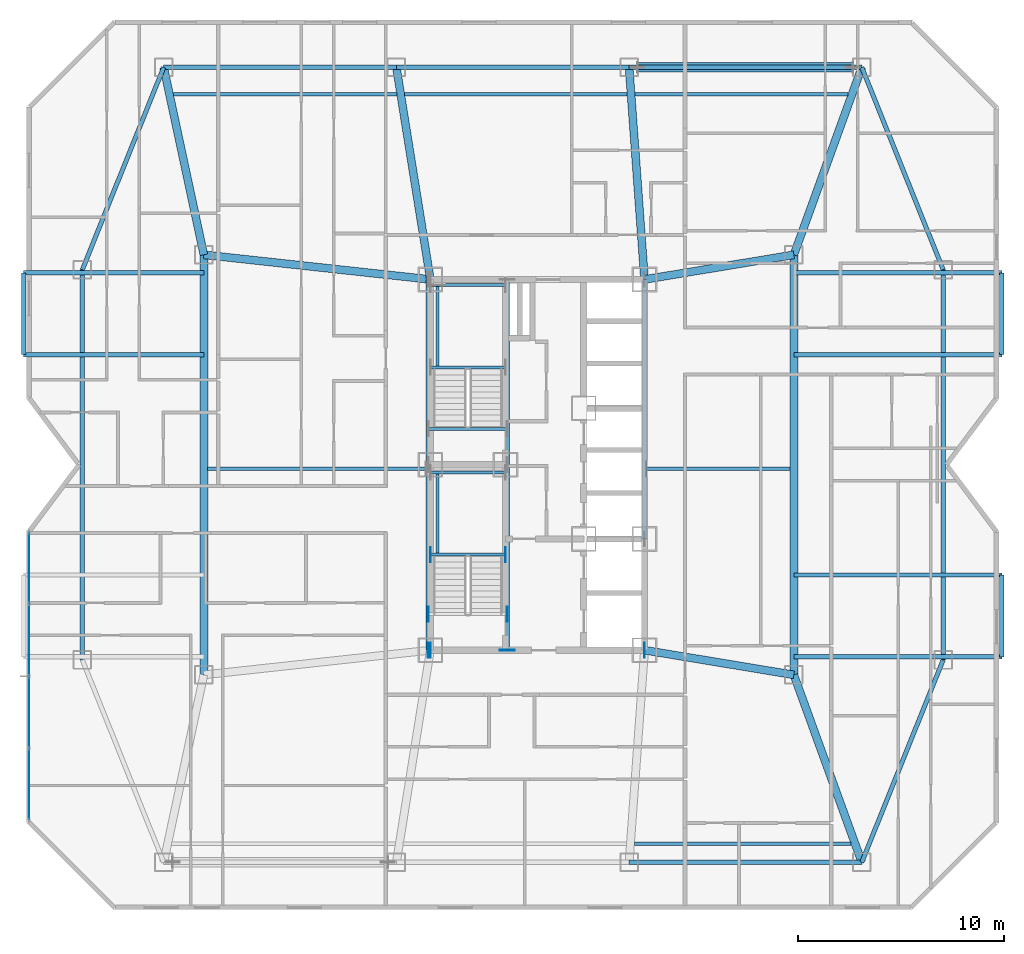
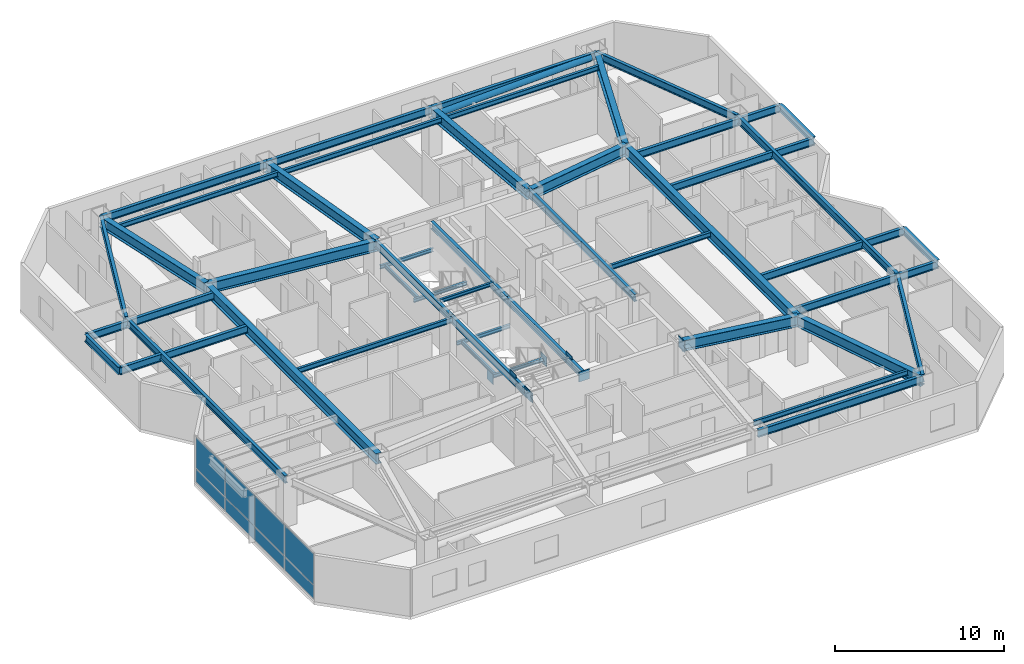
# One storey, part 7 of 17: 46 beams, 17 plates, 1 member, 1 element without a shape of its own.
"""IFC4 building model written with IfcOpenShell, lengths in metres."""

from ifc_helpers import new_model, si_unit, direction, frame, origin, origin_2d, place, context, subcontext, project, spatial, rectangle, hollow_circle, i_section, extrude, material, layer, layer_set, material_profile, profile_set, type_object, element, aggregate, save


model = new_model("IFC4")

# Units and contexts
model_context = context("Model", 3, precision=1e-05, world=origin(), true_north=direction((0.0, 1.0)))
body_context = subcontext(model_context, "Body", "Model", "MODEL_VIEW")
ifc_project = project(units=[si_unit("LENGTHUNIT", "METRE"), si_unit("AREAUNIT", "SQUARE_METRE"), si_unit("VOLUMEUNIT", "CUBIC_METRE"), si_unit("PLANEANGLEUNIT", "RADIAN"), si_unit("MASSUNIT", "GRAM", prefix="KILO")], contexts=[model_context])

# Site, building, storey
site_placement = place(None, origin())
site = spatial("IfcSite", under=ifc_project, at=site_placement, CompositionType="ELEMENT")
building_placement = place(site_placement, origin())
building = spatial("IfcBuilding", under=site, at=building_placement, Name="Khamvora Tower", CompositionType="ELEMENT")
storey_placement = place(building_placement, frame((0.0, 0.0, 142.050048828125)))
storey = spatial("IfcBuildingStorey", under=building, at=storey_placement, Name="L36", CompositionType="ELEMENT", Elevation=142.050048828125)

# Beams
ifc_material_1 = material(Name="Steel S355", Category="steel")
ifc_material_profile_1 = material_profile(ifc_material_1, i_section(OverallWidth=0.1708984375, OverallDepth=0.35498046875, WebThickness=0.007080078125, FlangeThickness=0.011962890625, FilletRadius=0.010009765625, at=origin_2d()), Name="W360x51")
ifc_profile_set_1 = profile_set([ifc_material_profile_1], Name="Steel S355")
beam_type_1 = type_object("IfcBeamType", Name="BM-JS-W360x51", PredefinedType="JOIST", material=ifc_profile_set_1)
beam_1_placement = place(storey_placement, frame((38.902099609375, 9.60009765625, 3.19189453125), z_axis=(1.0, 0.0, 0.0), x_axis=(0.0, 1.0, 0.0)))
element("IfcBeam", 1, at=beam_1_placement, inside=storey, type_object=beam_type_1, Name="L36 secondary floor joist 03", PredefinedType="JOIST", context=body_context, shape_type="SweptSolid", body=[
    extrude(i_section(OverallWidth=0.1708984375, OverallDepth=0.35498046875, WebThickness=0.007080078125, FlangeThickness=0.011962890625, FilletRadius=0.010009765625, at=origin_2d()), origin(), (0.0, 0.0, 1.0), 10.52392578125),
])
beam_2_placement = place(storey_placement, frame((18.18603515625, 27.800048828125, 3.19189453125), z_axis=(1.0, 0.0, 0.0), x_axis=(0.0, 1.0, 0.0)))
element("IfcBeam", 2, at=beam_2_placement, inside=storey, type_object=beam_type_1, Name="L36 secondary floor joist 04", PredefinedType="JOIST", context=body_context, shape_type="SweptSolid", body=[
    extrude(i_section(OverallWidth=0.1708984375, OverallDepth=0.35498046875, WebThickness=0.007080078125, FlangeThickness=0.011962890625, FilletRadius=0.010009765625, at=origin_2d()), origin(), (0.0, 0.0, 1.0), 10.614013671875),
])
beam_3_placement = place(storey_placement, frame((39.4990234375, 27.800048828125, 3.19189453125), z_axis=(1.0, 0.0, 0.0), x_axis=(0.0, 1.0, 0.0)))
element("IfcBeam", 3, at=beam_3_placement, inside=storey, type_object=beam_type_1, Name="L36 secondary floor joist 05", PredefinedType="JOIST", context=body_context, shape_type="SweptSolid", body=[
    extrude(i_section(OverallWidth=0.1708984375, OverallDepth=0.35498046875, WebThickness=0.007080078125, FlangeThickness=0.011962890625, FilletRadius=0.010009765625, at=origin_2d()), origin(), (0.0, 0.0, 1.0), 6.966064453125),
])
beam_4_placement = place(storey_placement, frame((16.51806640625, 46.0, 3.19189453125), z_axis=(1.0, 0.0, 0.0), x_axis=(0.0, 1.0, 0.0)))
element("IfcBeam", 4, at=beam_4_placement, inside=storey, type_object=beam_type_1, Name="L36 secondary floor joist 06", PredefinedType="JOIST", context=body_context, shape_type="SweptSolid", body=[
    extrude(i_section(OverallWidth=0.1708984375, OverallDepth=0.35498046875, WebThickness=0.007080078125, FlangeThickness=0.011962890625, FilletRadius=0.010009765625, at=origin_2d()), origin(), (0.0, 0.0, 1.0), 10.85205078125),
])
beam_5_placement = place(storey_placement, frame((27.74609375, 46.0, 3.19189453125), z_axis=(1.0, 0.0, 0.0), x_axis=(0.0, 1.0, 0.0)))
element("IfcBeam", 5, at=beam_5_placement, inside=storey, type_object=beam_type_1, Name="L36 secondary floor joist 07", PredefinedType="JOIST", context=body_context, shape_type="SweptSolid", body=[
    extrude(i_section(OverallWidth=0.1708984375, OverallDepth=0.35498046875, WebThickness=0.007080078125, FlangeThickness=0.011962890625, FilletRadius=0.010009765625, at=origin_2d()), origin(), (0.0, 0.0, 1.0), 10.81298828125),
])
beam_6_placement = place(storey_placement, frame((38.930908203125, 46.0, 3.19189453125), z_axis=(1.0, 0.0, 0.0), x_axis=(0.0, 1.0, 0.0)))
element("IfcBeam", 6, at=beam_6_placement, inside=storey, type_object=beam_type_1, Name="L36 secondary floor joist 08", PredefinedType="JOIST", context=body_context, shape_type="SweptSolid", body=[
    extrude(i_section(OverallWidth=0.1708984375, OverallDepth=0.35498046875, WebThickness=0.007080078125, FlangeThickness=0.011962890625, FilletRadius=0.010009765625, at=origin_2d()), origin(), (0.0, 0.0, 1.0), 10.35009765625),
])
ifc_material_profile_2 = material_profile(ifc_material_1, i_section(OverallWidth=0.14697265625, OverallDepth=0.261962890625, WebThickness=0.007080078125, FlangeThickness=0.010986328125, FilletRadius=0.008056640625, at=origin_2d()), Name="W250x39")
ifc_profile_set_2 = profile_set([ifc_material_profile_2], Name="Steel S355")
beam_type_2 = type_object("IfcBeamType", Name="BM-LN-W250x39", PredefinedType="LINTEL", material=ifc_profile_set_2)
for number, where, z_axis, x_axis, name in (
    (7, (29.0, 23.635009765625, 1.493896484375), (1.0, 0.0, 0.0), (0.0, 1.0, 0.0), "L36 ST-01 half-landing support beam 1.1"),
    (8, (29.0, 27.6298828125, 1.493896484375), (1.0, 0.0, 0.0), (0.0, 1.0, 0.0), "L36 ST-01 half-landing support beam 1.2"),
):
    element("IfcBeam", number, at=place(storey_placement, frame(where, z_axis=z_axis, x_axis=x_axis)), inside=storey, type_object=beam_type_2, Name=name, PredefinedType="LINTEL", context=body_context, shape_type="SweptSolid", body=[
        extrude(i_section(OverallWidth=0.14697265625, OverallDepth=0.261962890625, WebThickness=0.007080078125, FlangeThickness=0.010986328125, FilletRadius=0.008056640625, at=origin_2d()), origin(), (0.0, 0.0, 1.0), 3.64990234375),
    ])
beam_7_placement = place(storey_placement, frame((29.35009765625, 23.635009765625, 1.493896484375), z_axis=(0.0, 1.0, 0.0), x_axis=(-1.0, 0.0, 0.0)))
element("IfcBeam", 9, at=beam_7_placement, inside=storey, type_object=beam_type_2, Name="L36 ST-01 half-landing edge stringer 1", PredefinedType="LINTEL", context=body_context, shape_type="SweptSolid", body=[
    extrude(i_section(OverallWidth=0.14697265625, OverallDepth=0.261962890625, WebThickness=0.007080078125, FlangeThickness=0.010986328125, FilletRadius=0.008056640625, at=origin_2d()), origin(), (0.0, 0.0, 1.0), 3.994873046875),
])
for number, where, z_axis, x_axis, name in (
    (10, (29.0, 32.735107421875, 1.493896484375), (1.0, 0.0, 0.0), (0.0, 1.0, 0.0), "L36 ST-02 half-landing support beam 1.1"),
    (11, (29.0, 36.72998046875, 1.493896484375), (1.0, 0.0, 0.0), (0.0, 1.0, 0.0), "L36 ST-02 half-landing support beam 1.2"),
):
    element("IfcBeam", number, at=place(storey_placement, frame(where, z_axis=z_axis, x_axis=x_axis)), inside=storey, type_object=beam_type_2, Name=name, PredefinedType="LINTEL", context=body_context, shape_type="SweptSolid", body=[
        extrude(i_section(OverallWidth=0.14697265625, OverallDepth=0.261962890625, WebThickness=0.007080078125, FlangeThickness=0.010986328125, FilletRadius=0.008056640625, at=origin_2d()), origin(), (0.0, 0.0, 1.0), 3.64990234375),
    ])
beam_8_placement = place(storey_placement, frame((29.35009765625, 32.735107421875, 1.493896484375), z_axis=(0.0, 1.0, 0.0), x_axis=(-1.0, 0.0, 0.0)))
element("IfcBeam", 12, at=beam_8_placement, inside=storey, type_object=beam_type_2, Name="L36 ST-02 half-landing edge stringer 1", PredefinedType="LINTEL", context=body_context, shape_type="SweptSolid", body=[
    extrude(i_section(OverallWidth=0.14697265625, OverallDepth=0.261962890625, WebThickness=0.007080078125, FlangeThickness=0.010986328125, FilletRadius=0.008056640625, at=origin_2d()), origin(), (0.0, 0.0, 1.0), 3.994873046875),
])
beam_9_placement = place(storey_placement, frame((28.89990234375, 29.75, 3.243896484375), z_axis=(1.0, 0.0, 0.0), x_axis=(0.0, 1.0, 0.0)))
element("IfcBeam", 13, at=beam_9_placement, inside=storey, type_object=beam_type_2, Name="L36 exit stair ST-02 landing trimmer beam", PredefinedType="LINTEL", context=body_context, shape_type="SweptSolid", body=[
    extrude(i_section(OverallWidth=0.14697265625, OverallDepth=0.261962890625, WebThickness=0.007080078125, FlangeThickness=0.010986328125, FilletRadius=0.008056640625, at=origin_2d()), origin(), (0.0, 0.0, 1.0), 3.830078125),
])
ifc_material_profile_3 = material_profile(ifc_material_1, i_section(OverallWidth=0.381103515625, OverallDepth=0.77294921875, WebThickness=0.01708984375, FlangeThickness=0.027099609375, FilletRadius=0.01806640625, at=origin_2d()), Name="W760x257")
ifc_profile_set_3 = profile_set([ifc_material_profile_3], Name="Steel S355")
beam_type_3 = type_object("IfcBeamType", Name="BM-PG-W760x257", PredefinedType="BEAM", material=ifc_profile_set_3)
for number, where, z_axis, x_axis, name in (
    (14, (46.64990234375, 17.800048828125, 2.98291015625), (0.0, 1.0, 0.0), (-1.0, 0.0, 0.0), "L36 longitudinal frame girder M1-M2"),
    (15, (18.0, 17.800048828125, 2.98291015625), (0.0, 1.0, 0.0), (-1.0, 0.0, 0.0), "L36 longitudinal frame girder MW1-MW2"),
):
    element("IfcBeam", number, at=place(storey_placement, frame(where, z_axis=z_axis, x_axis=x_axis)), inside=storey, type_object=beam_type_3, Name=name, PredefinedType="BEAM", context=body_context, shape_type="SweptSolid", body=[
        extrude(i_section(OverallWidth=0.381103515625, OverallDepth=0.77294921875, WebThickness=0.01708984375, FlangeThickness=0.027099609375, FilletRadius=0.01806640625, at=origin_2d()), origin(), (0.0, 0.0, 1.0), 20.39990234375),
    ])
beam_10_placement = place(storey_placement, frame((46.64990234375, 17.800048828125, 2.98291015625), z_axis=(0.340914681567, -0.940094239899, 0.0), x_axis=(0.940094239899, 0.340914681567, 0.0)))
element("IfcBeam", 16, at=beam_10_placement, inside=storey, type_object=beam_type_3, Name="L36 primary floor girder S4", PredefinedType="BEAM", context=body_context, shape_type="SweptSolid", body=[
    extrude(i_section(OverallWidth=0.381103515625, OverallDepth=0.77294921875, WebThickness=0.01708984375, FlangeThickness=0.027099609375, FilletRadius=0.01806640625, at=origin_2d()), origin(), (0.0, 0.0, 1.0), 9.679931640625),
])
beam_11_placement = place(storey_placement, frame((18.0, 38.199951171875, 2.98291015625), z_axis=(-0.209521922673, 0.977803949634, 0.0), x_axis=(-0.977803949634, -0.209521922673, 0.0)))
element("IfcBeam", 17, at=beam_11_placement, inside=storey, type_object=beam_type_3, Name="L36 primary floor girder N1", PredefinedType="BEAM", context=body_context, shape_type="SweptSolid", body=[
    extrude(i_section(OverallWidth=0.381103515625, OverallDepth=0.77294921875, WebThickness=0.01708984375, FlangeThickness=0.027099609375, FilletRadius=0.01806640625, at=origin_2d()), origin(), (0.0, 0.0, 1.0), 9.306640625),
])
beam_12_placement = place(storey_placement, frame((29.0, 37.0, 2.98291015625), z_axis=(-0.158167584066, 0.987412282358, 0.0), x_axis=(-0.987412282358, -0.158167584066, 0.0)))
element("IfcBeam", 18, at=beam_12_placement, inside=storey, type_object=beam_type_3, Name="L36 primary floor girder N2", PredefinedType="BEAM", context=body_context, shape_type="SweptSolid", body=[
    extrude(i_section(OverallWidth=0.381103515625, OverallDepth=0.77294921875, WebThickness=0.01708984375, FlangeThickness=0.027099609375, FilletRadius=0.01806640625, at=origin_2d()), origin(), (0.0, 0.0, 1.0), 10.431396484375),
])
beam_13_placement = place(storey_placement, frame((39.39990234375, 37.0, 2.98291015625), z_axis=(-0.07262291808, 0.997359469685, 0.0), x_axis=(-0.997359469685, -0.07262291808, 0.0)))
element("IfcBeam", 19, at=beam_13_placement, inside=storey, type_object=beam_type_3, Name="L36 primary floor girder N3", PredefinedType="BEAM", context=body_context, shape_type="SweptSolid", body=[
    extrude(i_section(OverallWidth=0.381103515625, OverallDepth=0.77294921875, WebThickness=0.01708984375, FlangeThickness=0.027099609375, FilletRadius=0.01806640625, at=origin_2d()), origin(), (0.0, 0.0, 1.0), 10.327392578125),
])
beam_14_placement = place(storey_placement, frame((46.64990234375, 38.199951171875, 2.98291015625), z_axis=(0.340914681567, 0.940094239899, 0.0), x_axis=(-0.940094239899, 0.340914681567, 0.0)))
element("IfcBeam", 20, at=beam_14_placement, inside=storey, type_object=beam_type_3, Name="L36 primary floor girder N4", PredefinedType="BEAM", context=body_context, shape_type="SweptSolid", body=[
    extrude(i_section(OverallWidth=0.381103515625, OverallDepth=0.77294921875, WebThickness=0.01708984375, FlangeThickness=0.027099609375, FilletRadius=0.01806640625, at=origin_2d()), origin(), (0.0, 0.0, 1.0), 9.679931640625),
])
beam_15_placement = place(storey_placement, frame((29.0, 37.0, 2.98291015625), z_axis=(-0.994102652327, 0.108443149329, 0.0), x_axis=(-0.108443149329, -0.994102652327, 0.0)))
element("IfcBeam", 21, at=beam_15_placement, inside=storey, type_object=beam_type_3, Name="L36 primary floor girder MW2", PredefinedType="BEAM", context=body_context, shape_type="SweptSolid", body=[
    extrude(i_section(OverallWidth=0.381103515625, OverallDepth=0.77294921875, WebThickness=0.01708984375, FlangeThickness=0.027099609375, FilletRadius=0.01806640625, at=origin_2d()), origin(), (0.0, 0.0, 1.0), 11.065185546875),
])
for number, where, z_axis, x_axis, name in (
    (22, (39.39990234375, 19.0, 2.98291015625), (0.986578268552, -0.163289068896, 0.0), (0.163289068896, 0.986578268552, 0.0), "L36 primary floor girder M1"),
    (23, (39.39990234375, 37.0, 2.98291015625), (0.986578268552, 0.163289068896, 0.0), (-0.163289068896, 0.986578268552, 0.0), "L36 primary floor girder M2"),
):
    element("IfcBeam", number, at=place(storey_placement, frame(where, z_axis=z_axis, x_axis=x_axis)), inside=storey, type_object=beam_type_3, Name=name, PredefinedType="BEAM", context=body_context, shape_type="SweptSolid", body=[
        extrude(i_section(OverallWidth=0.381103515625, OverallDepth=0.77294921875, WebThickness=0.01708984375, FlangeThickness=0.027099609375, FilletRadius=0.01806640625, at=origin_2d()), origin(), (0.0, 0.0, 1.0), 7.3486328125),
    ])
ifc_material_profile_4 = material_profile(ifc_material_1, i_section(OverallWidth=0.2119140625, OverallDepth=0.5439453125, WebThickness=0.012939453125, FlangeThickness=0.02099609375, FilletRadius=0.013916015625, at=origin_2d()), Name="W530x123")
ifc_profile_set_4 = profile_set([ifc_material_profile_4], Name="Steel S355")
beam_type_4 = type_object("IfcBeamType", Name="BM-SP-W530x123", PredefinedType="SPANDREL", material=ifc_profile_set_4)
beam_16_placement = place(storey_placement, frame((38.64990234375, 8.699951171875, 3.097900390625), z_axis=(1.0, 0.0, 0.0), x_axis=(0.0, 1.0, 0.0)))
element("IfcBeam", 24, at=beam_16_placement, inside=storey, type_object=beam_type_4, Name="L36 perimeter spandrel beam S3-S4", PredefinedType="SPANDREL", context=body_context, shape_type="SweptSolid", body=[
    extrude(i_section(OverallWidth=0.2119140625, OverallDepth=0.5439453125, WebThickness=0.012939453125, FlangeThickness=0.02099609375, FilletRadius=0.013916015625, at=origin_2d()), origin(), (0.0, 0.0, 1.0), 11.300048828125),
])
beam_17_placement = place(storey_placement, frame((49.949951171875, 8.699951171875, 3.097900390625), z_axis=(0.373015921536, 0.927824941614, 0.0), x_axis=(-0.927824941614, 0.373015921536, 0.0)))
element("IfcBeam", 25, at=beam_17_placement, inside=storey, type_object=beam_type_4, Name="L36 perimeter spandrel beam S4-E1", PredefinedType="SPANDREL", context=body_context, shape_type="SweptSolid", body=[
    extrude(i_section(OverallWidth=0.2119140625, OverallDepth=0.5439453125, WebThickness=0.012939453125, FlangeThickness=0.02099609375, FilletRadius=0.013916015625, at=origin_2d()), origin(), (0.0, 0.0, 1.0), 10.589111328125),
])
beam_18_placement = place(storey_placement, frame((53.89990234375, 18.52490234375, 3.097900390625), z_axis=(0.0, 1.0, 0.0), x_axis=(-1.0, 0.0, 0.0)))
element("IfcBeam", 26, at=beam_18_placement, inside=storey, type_object=beam_type_4, Name="L36 perimeter spandrel beam E1-E2", PredefinedType="SPANDREL", context=body_context, shape_type="SweptSolid", body=[
    extrude(i_section(OverallWidth=0.2119140625, OverallDepth=0.5439453125, WebThickness=0.012939453125, FlangeThickness=0.02099609375, FilletRadius=0.013916015625, at=origin_2d()), origin(), (0.0, 0.0, 1.0), 18.9501953125),
])
beam_19_placement = place(storey_placement, frame((53.89990234375, 37.47509765625, 3.097900390625), z_axis=(-0.373015921536, 0.927824941614, 0.0), x_axis=(-0.927824941614, -0.373015921536, 0.0)))
element("IfcBeam", 27, at=beam_19_placement, inside=storey, type_object=beam_type_4, Name="L36 perimeter spandrel beam E2-N4", PredefinedType="SPANDREL", context=body_context, shape_type="SweptSolid", body=[
    extrude(i_section(OverallWidth=0.2119140625, OverallDepth=0.5439453125, WebThickness=0.012939453125, FlangeThickness=0.02099609375, FilletRadius=0.013916015625, at=origin_2d()), origin(), (0.0, 0.0, 1.0), 10.589111328125),
])
beam_20_placement = place(storey_placement, frame((49.949951171875, 47.300048828125, 3.097900390625), z_axis=(-1.0, 0.0, 0.0), x_axis=(0.0, -1.0, 0.0)))
element("IfcBeam", 28, at=beam_20_placement, inside=storey, type_object=beam_type_4, Name="L36 perimeter spandrel beam N4-N3", PredefinedType="SPANDREL", context=body_context, shape_type="SweptSolid", body=[
    extrude(i_section(OverallWidth=0.2119140625, OverallDepth=0.5439453125, WebThickness=0.012939453125, FlangeThickness=0.02099609375, FilletRadius=0.013916015625, at=origin_2d()), origin(), (0.0, 0.0, 1.0), 11.300048828125),
])
beam_21_placement = place(storey_placement, frame((38.64990234375, 47.300048828125, 3.097900390625), z_axis=(-1.0, 0.0, 0.0), x_axis=(0.0, -1.0, 0.0)))
element("IfcBeam", 29, at=beam_21_placement, inside=storey, type_object=beam_type_4, Name="L36 perimeter spandrel beam N3-N2", PredefinedType="SPANDREL", context=body_context, shape_type="SweptSolid", body=[
    extrude(i_section(OverallWidth=0.2119140625, OverallDepth=0.5439453125, WebThickness=0.012939453125, FlangeThickness=0.02099609375, FilletRadius=0.013916015625, at=origin_2d()), origin(), (0.0, 0.0, 1.0), 11.2998046875),
])
beam_22_placement = place(storey_placement, frame((27.35009765625, 47.300048828125, 3.097900390625), z_axis=(-1.0, 0.0, 0.0), x_axis=(0.0, -1.0, 0.0)))
element("IfcBeam", 30, at=beam_22_placement, inside=storey, type_object=beam_type_4, Name="L36 perimeter spandrel beam N2-N1", PredefinedType="SPANDREL", context=body_context, shape_type="SweptSolid", body=[
    extrude(i_section(OverallWidth=0.2119140625, OverallDepth=0.5439453125, WebThickness=0.012939453125, FlangeThickness=0.02099609375, FilletRadius=0.013916015625, at=origin_2d()), origin(), (0.0, 0.0, 1.0), 11.300048828125),
])
beam_23_placement = place(storey_placement, frame((16.050048828125, 47.300048828125, 3.097900390625), z_axis=(-0.373015921536, -0.927824941614, 0.0), x_axis=(0.927824941614, -0.373015921536, 0.0)))
element("IfcBeam", 31, at=beam_23_placement, inside=storey, type_object=beam_type_4, Name="L36 perimeter spandrel beam N1-W2", PredefinedType="SPANDREL", context=body_context, shape_type="SweptSolid", body=[
    extrude(i_section(OverallWidth=0.2119140625, OverallDepth=0.5439453125, WebThickness=0.012939453125, FlangeThickness=0.02099609375, FilletRadius=0.013916015625, at=origin_2d()), origin(), (0.0, 0.0, 1.0), 10.589111328125),
])
beam_24_placement = place(storey_placement, frame((12.10009765625, 37.47509765625, 3.097900390625), z_axis=(0.0, -1.0, 0.0), x_axis=(1.0, 0.0, 0.0)))
element("IfcBeam", 32, at=beam_24_placement, inside=storey, type_object=beam_type_4, Name="L36 perimeter spandrel beam W2-W1", PredefinedType="SPANDREL", context=body_context, shape_type="SweptSolid", body=[
    extrude(i_section(OverallWidth=0.2119140625, OverallDepth=0.5439453125, WebThickness=0.012939453125, FlangeThickness=0.02099609375, FilletRadius=0.013916015625, at=origin_2d()), origin(), (0.0, 0.0, 1.0), 18.9501953125),
])
ifc_material_profile_5 = material_profile(ifc_material_1, i_section(OverallWidth=0.208984375, OverallDepth=0.532958984375, WebThickness=0.010009765625, FlangeThickness=0.01611328125, FilletRadius=0.013916015625, at=origin_2d()), Name="W530x92")
ifc_profile_set_5 = profile_set([ifc_material_profile_5], Name="Steel S355")
beam_type_5 = type_object("IfcBeamType", Name="BM-SP-W530x92", PredefinedType="SPANDREL", material=ifc_profile_set_5)
for number, where, z_axis, x_axis, name in (
    (33, (28.89990234375, 19.0, 3.10302734375), (0.0, 1.0, 0.0), (-1.0, 0.0, 0.0), "L36 core spine girder WS"),
    (34, (28.89990234375, 28.0, 3.10302734375), (0.0, 1.0, 0.0), (-1.0, 0.0, 0.0), "L36 core spine girder WN"),
    (35, (32.72998046875, 19.0, 3.10302734375), (0.0, 1.0, 0.0), (-1.0, 0.0, 0.0), "L36 core spine girder M1S"),
    (36, (32.72998046875, 28.0, 3.10302734375), (0.0, 1.0, 0.0), (-1.0, 0.0, 0.0), "L36 core spine girder M1N"),
):
    element("IfcBeam", number, at=place(storey_placement, frame(where, z_axis=z_axis, x_axis=x_axis)), inside=storey, type_object=beam_type_5, Name=name, PredefinedType="SPANDREL", context=body_context, shape_type="SweptSolid", body=[
        extrude(i_section(OverallWidth=0.208984375, OverallDepth=0.532958984375, WebThickness=0.010009765625, FlangeThickness=0.01611328125, FilletRadius=0.013916015625, at=origin_2d()), origin(), (0.0, 0.0, 1.0), 9.0),
    ])
beam_25_placement = place(storey_placement, frame((39.39990234375, 24.39990234375, 3.10302734375), z_axis=(0.0, 1.0, 0.0), x_axis=(-1.0, 0.0, 0.0)))
element("IfcBeam", 37, at=beam_25_placement, inside=storey, type_object=beam_type_5, Name="L36 core spine girder EN", PredefinedType="SPANDREL", context=body_context, shape_type="SweptSolid", body=[
    extrude(i_section(OverallWidth=0.208984375, OverallDepth=0.532958984375, WebThickness=0.010009765625, FlangeThickness=0.01611328125, FilletRadius=0.013916015625, at=origin_2d()), origin(), (0.0, 0.0, 1.0), 12.60009765625),
])
for number, where, z_axis, x_axis, name in (
    (38, (46.64990234375, 18.675048828125, 2.962890625), (1.0, 0.0, 0.0), (0.0, 1.0, 0.0), "L36 continuous gallery cantilever girder L37-EL1-1"),
    (39, (46.64990234375, 22.64990234375, 2.962890625), (1.0, 0.0, 0.0), (0.0, 1.0, 0.0), "L36 continuous gallery cantilever girder L37-EL1-2"),
):
    element("IfcBeam", number, at=place(storey_placement, frame(where, z_axis=z_axis, x_axis=x_axis)), inside=storey, type_object=beam_type_5, Name=name, PredefinedType="SPANDREL", context=body_context, shape_type="SweptSolid", body=[
        extrude(i_section(OverallWidth=0.208984375, OverallDepth=0.532958984375, WebThickness=0.010009765625, FlangeThickness=0.01611328125, FilletRadius=0.013916015625, at=origin_2d()), origin(), (0.0, 0.0, 1.0), 10.10009765625),
    ])
beam_26_placement = place(storey_placement, frame((56.75, 18.675048828125, 2.962890625), z_axis=(0.0, 1.0, 0.0), x_axis=(-1.0, 0.0, 0.0)))
element("IfcBeam", 40, at=beam_26_placement, inside=storey, type_object=beam_type_5, Name="L36 external gallery edge header beam L37-EL1", PredefinedType="SPANDREL", context=body_context, shape_type="SweptSolid", body=[
    extrude(i_section(OverallWidth=0.208984375, OverallDepth=0.532958984375, WebThickness=0.010009765625, FlangeThickness=0.01611328125, FilletRadius=0.013916015625, at=origin_2d()), origin(), (0.0, 0.0, 1.0), 3.974853515625),
])
for number, where, z_axis, x_axis, name in (
    (41, (46.64990234375, 33.35009765625, 2.962890625), (1.0, 0.0, 0.0), (0.0, 1.0, 0.0), "L36 continuous gallery cantilever girder L37-EL2-1"),
    (42, (46.64990234375, 37.324951171875, 2.962890625), (1.0, 0.0, 0.0), (0.0, 1.0, 0.0), "L36 continuous gallery cantilever girder L37-EL2-2"),
):
    element("IfcBeam", number, at=place(storey_placement, frame(where, z_axis=z_axis, x_axis=x_axis)), inside=storey, type_object=beam_type_5, Name=name, PredefinedType="SPANDREL", context=body_context, shape_type="SweptSolid", body=[
        extrude(i_section(OverallWidth=0.208984375, OverallDepth=0.532958984375, WebThickness=0.010009765625, FlangeThickness=0.01611328125, FilletRadius=0.013916015625, at=origin_2d()), origin(), (0.0, 0.0, 1.0), 10.10009765625),
    ])
beam_27_placement = place(storey_placement, frame((56.75, 33.35009765625, 2.962890625), z_axis=(0.0, 1.0, 0.0), x_axis=(-1.0, 0.0, 0.0)))
element("IfcBeam", 43, at=beam_27_placement, inside=storey, type_object=beam_type_5, Name="L36 external gallery edge header beam L37-EL2", PredefinedType="SPANDREL", context=body_context, shape_type="SweptSolid", body=[
    extrude(i_section(OverallWidth=0.208984375, OverallDepth=0.532958984375, WebThickness=0.010009765625, FlangeThickness=0.01611328125, FilletRadius=0.013916015625, at=origin_2d()), origin(), (0.0, 0.0, 1.0), 3.974853515625),
])
for number, where, z_axis, x_axis, name in (
    (44, (18.0, 33.35009765625, 2.962890625), (-1.0, 0.0, 0.0), (0.0, -1.0, 0.0), "L36 continuous gallery cantilever girder L37-WL2-1"),
    (45, (18.0, 37.324951171875, 2.962890625), (-1.0, 0.0, 0.0), (0.0, -1.0, 0.0), "L36 continuous gallery cantilever girder L37-WL2-2"),
):
    element("IfcBeam", number, at=place(storey_placement, frame(where, z_axis=z_axis, x_axis=x_axis)), inside=storey, type_object=beam_type_5, Name=name, PredefinedType="SPANDREL", context=body_context, shape_type="SweptSolid", body=[
        extrude(i_section(OverallWidth=0.208984375, OverallDepth=0.532958984375, WebThickness=0.010009765625, FlangeThickness=0.01611328125, FilletRadius=0.013916015625, at=origin_2d()), origin(), (0.0, 0.0, 1.0), 8.75),
    ])
beam_28_placement = place(storey_placement, frame((9.25, 33.35009765625, 2.962890625), z_axis=(0.0, 1.0, 0.0), x_axis=(-1.0, 0.0, 0.0)))
element("IfcBeam", 46, at=beam_28_placement, inside=storey, type_object=beam_type_5, Name="L36 external gallery edge header beam L37-WL2", PredefinedType="SPANDREL", context=body_context, shape_type="SweptSolid", body=[
    extrude(i_section(OverallWidth=0.208984375, OverallDepth=0.532958984375, WebThickness=0.010009765625, FlangeThickness=0.01611328125, FilletRadius=0.013916015625, at=origin_2d()), origin(), (0.0, 0.0, 1.0), 3.974853515625),
])

# Member
ifc_material_profile_6 = material_profile(ifc_material_1, hollow_circle(Radius=0.228515625, WallThickness=0.02001953125, at=origin_2d()), Name="CHS457x20")
ifc_profile_set_6 = profile_set([ifc_material_profile_6], Name="Steel S355")
member_type = type_object("IfcMemberType", Name="MEM-BR-CHS457", PredefinedType="BRACE", material=ifc_profile_set_6)
member_placement = place(storey_placement, frame((39.080078125, 47.300048828125, 2.696044921875), z_axis=(0.999306839508, 0.0, 0.037226878896), x_axis=(0.0, 1.0, 0.0)))
element("IfcMember", 47, at=member_placement, inside=storey, type_object=member_type, Name="L36 perimeter wind brace 2", PredefinedType="BRACE", context=body_context, shape_type="SweptSolid", body=[
    extrude(hollow_circle(Radius=0.228515625, WallThickness=0.02001953125, at=origin_2d()), origin(), (0.0, 0.0, 1.0), 10.447265625),
])

# Curtain wall, plates
ifc_material_2 = material(Name="Anodised Aluminium 6063-T6", Category="aluminium")
curtain_wall_type = type_object("IfcCurtainWallType", Name="CW-SYS-03", PredefinedType="NOTDEFINED", material=ifc_material_2)
curtain_wall_placement = place(storey_placement, origin())
curtain_wall = element("IfcCurtainWall", 48, at=curtain_wall_placement, inside=storey, type_object=curtain_wall_type, Name="L36 stick curtain wall 02.1", PredefinedType="NOTDEFINED")
ifc_material_3 = material(Name="Low-E Laminated Double Glazing", Category="glass")
ifc_layer_1 = layer(ifc_material_3, 0.030029296875)
ifc_layer_set_1 = layer_set([ifc_layer_1], Name="Low-E Laminated Double Glazing")
plate_type_1 = type_object("IfcPlateType", Name="CW-SYS-03-PNL", PredefinedType="CURTAIN_PANEL", material=ifc_layer_set_1)
plate_1_placement = place(storey_placement, frame((9.510009765625, 12.489013671875, 0.06494140625), z_axis=(0.0, 0.0, 1.0), x_axis=(0.0, 1.0, 0.0)))
plate_1 = element("IfcPlate", 49, at=plate_1_placement, type_object=plate_type_1, Name="CW-03 panel 1.1", PredefinedType="CURTAIN_PANEL", context=body_context, shape_type="SweptSolid", body=[
    extrude(rectangle(XDim=3.4140625, YDim=0.030029296875, at=origin_2d()), origin(), (0.0, 0.0, 1.0), 0.952392578125),
])
plate_2_placement = place(storey_placement, frame((9.510009765625, 12.489013671875, 1.08251953125), z_axis=(0.0, 0.0, 1.0), x_axis=(0.0, 1.0, 0.0)))
plate_2 = element("IfcPlate", 50, at=plate_2_placement, type_object=plate_type_1, Name="CW-03 panel 1.2", PredefinedType="CURTAIN_PANEL", context=body_context, shape_type="SweptSolid", body=[
    extrude(rectangle(XDim=3.4140625, YDim=0.030029296875, at=origin_2d()), origin(), (0.0, 0.0, 1.0), 2.222412109375),
])
plate_3_placement = place(storey_placement, frame((9.510009765625, 15.984130859375, 0.06494140625), z_axis=(0.0, 0.0, 1.0), x_axis=(0.0, 1.0, 0.0)))
plate_3 = element("IfcPlate", 51, at=plate_3_placement, type_object=plate_type_1, Name="CW-03 panel 2.1", PredefinedType="CURTAIN_PANEL", context=body_context, shape_type="SweptSolid", body=[
    extrude(rectangle(XDim=3.446533203125, YDim=0.030029296875, at=origin_2d()), origin(), (0.0, 0.0, 1.0), 0.952392578125),
])
plate_4_placement = place(storey_placement, frame((9.510009765625, 15.984130859375, 1.08251953125), z_axis=(0.0, 0.0, 1.0), x_axis=(0.0, 1.0, 0.0)))
plate_4 = element("IfcPlate", 52, at=plate_4_placement, type_object=plate_type_1, Name="CW-03 panel 2.2", PredefinedType="CURTAIN_PANEL", context=body_context, shape_type="SweptSolid", body=[
    extrude(rectangle(XDim=3.446533203125, YDim=0.030029296875, at=origin_2d()), origin(), (0.0, 0.0, 1.0), 2.222412109375),
])
plate_5_placement = place(storey_placement, frame((9.510009765625, 19.495849609375, 0.06494140625), z_axis=(0.0, 0.0, 1.0), x_axis=(0.0, 1.0, 0.0)))
plate_5 = element("IfcPlate", 53, at=plate_5_placement, type_object=plate_type_1, Name="CW-03 panel 3.1", PredefinedType="CURTAIN_PANEL", context=body_context, shape_type="SweptSolid", body=[
    extrude(rectangle(XDim=3.446533203125, YDim=0.030029296875, at=origin_2d()), origin(), (0.0, 0.0, 1.0), 0.952392578125),
])
plate_6_placement = place(storey_placement, frame((9.510009765625, 19.495849609375, 1.08251953125), z_axis=(0.0, 0.0, 1.0), x_axis=(0.0, 1.0, 0.0)))
plate_6 = element("IfcPlate", 54, at=plate_6_placement, type_object=plate_type_1, Name="CW-03 panel 3.2", PredefinedType="CURTAIN_PANEL", context=body_context, shape_type="SweptSolid", body=[
    extrude(rectangle(XDim=3.446533203125, YDim=0.030029296875, at=origin_2d()), origin(), (0.0, 0.0, 1.0), 2.222412109375),
])
plate_7_placement = place(storey_placement, frame((9.510009765625, 22.990966796875, 0.06494140625), z_axis=(0.0, 0.0, 1.0), x_axis=(0.0, 1.0, 0.0)))
plate_7 = element("IfcPlate", 55, at=plate_7_placement, type_object=plate_type_1, Name="CW-03 panel 4.1", PredefinedType="CURTAIN_PANEL", context=body_context, shape_type="SweptSolid", body=[
    extrude(rectangle(XDim=3.4140625, YDim=0.030029296875, at=origin_2d()), origin(), (0.0, 0.0, 1.0), 0.952392578125),
])
plate_8_placement = place(storey_placement, frame((9.510009765625, 22.990966796875, 1.08251953125), z_axis=(0.0, 0.0, 1.0), x_axis=(0.0, 1.0, 0.0)))
plate_8 = element("IfcPlate", 56, at=plate_8_placement, type_object=plate_type_1, Name="CW-03 panel 4.2", PredefinedType="CURTAIN_PANEL", context=body_context, shape_type="SweptSolid", body=[
    extrude(rectangle(XDim=3.4140625, YDim=0.030029296875, at=origin_2d()), origin(), (0.0, 0.0, 1.0), 2.222412109375),
])
aggregate(curtain_wall, [plate_1, plate_2, plate_3, plate_4, plate_5, plate_6, plate_7, plate_8])

# Plates
ifc_material_4 = material(Name="Steel S460", Category="steel")
ifc_layer_2 = layer(ifc_material_4, 0.034912109375)
ifc_layer_set_2 = layer_set([ifc_layer_2], Name="Steel S460")
plate_type_2 = type_object("IfcPlateType", Name="PL-EMB-35", PredefinedType="SHEET", material=ifc_layer_set_2)
for number, where, z_axis, x_axis, name in (
    (57, (29.0, 23.635009765625, 1.1337890625), (0.0, 0.0, 1.0), (1.0, 0.0, 0.0), "L36 core shear wall cast-in embed plate 1048"),
    (58, (32.64990234375, 23.635009765625, 1.1337890625), (0.0, 0.0, 1.0), (1.0, 0.0, 0.0), "L36 core shear wall cast-in embed plate 1049"),
    (59, (29.0, 19.0, 2.623046875), (0.0, 0.0, 1.0), (1.0, 0.0, 0.0), "L36 core shear wall cast-in embed plate 1057"),
    (60, (39.39990234375, 19.0, 2.623046875), (0.0, 0.0, 1.0), (1.0, 0.0, 0.0), "L36 core shear wall cast-in embed plate 1058"),
    (61, (28.89990234375, 19.0, 2.7431640625), (0.0, 0.0, 1.0), (1.0, 0.0, 0.0), "L36 core shear wall cast-in embed plate 1061"),
):
    element("IfcPlate", number, at=place(storey_placement, frame(where, z_axis=z_axis, x_axis=x_axis)), inside=storey, type_object=plate_type_2, Name=name, PredefinedType="SHEET", context=body_context, shape_type="SweptSolid", body=[
        extrude(rectangle(XDim=0.034912109375, YDim=0.719970703125, at=origin_2d()), origin(), (0.0, 0.0, 1.0), 0.719970703125),
    ])
plate_9_placement = place(storey_placement, frame((32.72998046875, 19.0, 2.7431640625), z_axis=(0.0, 0.0, 1.0), x_axis=(1.0, 0.0, 0.0)))
element("IfcPlate", 62, at=plate_9_placement, inside=storey, type_object=plate_type_2, Name="L36 core shear wall cast-in embed plate 1064", PredefinedType="SHEET", context=body_context, shape_type="SweptSolid", body=[
    extrude(rectangle(XDim=0.719970703125, YDim=0.034912109375, at=origin_2d()), origin(), (0.0, 0.0, 1.0), 0.719970703125),
])
for number, where, z_axis, x_axis, name in (
    (63, (39.39990234375, 19.0, 2.7431640625), (0.0, 0.0, 1.0), (1.0, 0.0, 0.0), "L36 core shear wall cast-in embed plate 1067"),
    (64, (28.89990234375, 20.75, 2.8837890625), (0.0, 0.0, 1.0), (1.0, 0.0, 0.0), "L36 core shear wall cast-in embed plate 1070"),
    (65, (32.72998046875, 20.75, 2.8837890625), (0.0, 0.0, 1.0), (1.0, 0.0, 0.0), "L36 core shear wall cast-in embed plate 1071"),
):
    element("IfcPlate", number, at=place(storey_placement, frame(where, z_axis=z_axis, x_axis=x_axis)), inside=storey, type_object=plate_type_2, Name=name, PredefinedType="SHEET", context=body_context, shape_type="SweptSolid", body=[
        extrude(rectangle(XDim=0.034912109375, YDim=0.719970703125, at=origin_2d()), origin(), (0.0, 0.0, 1.0), 0.719970703125),
    ])

save(model, "model.ifc")
